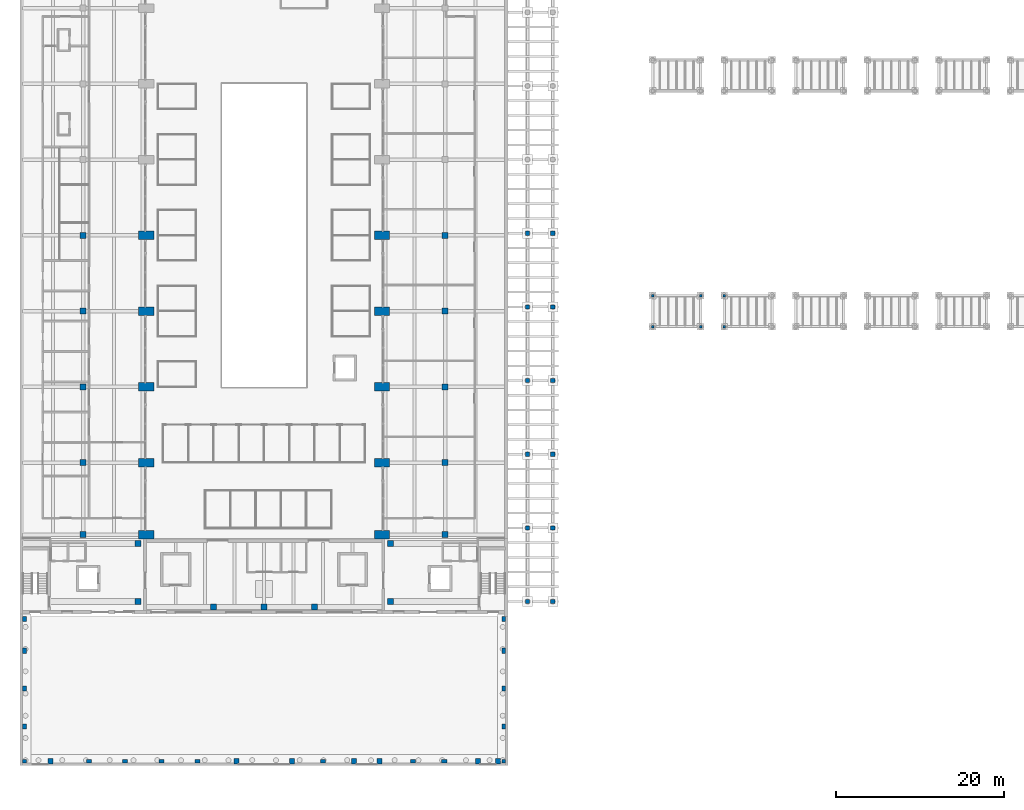
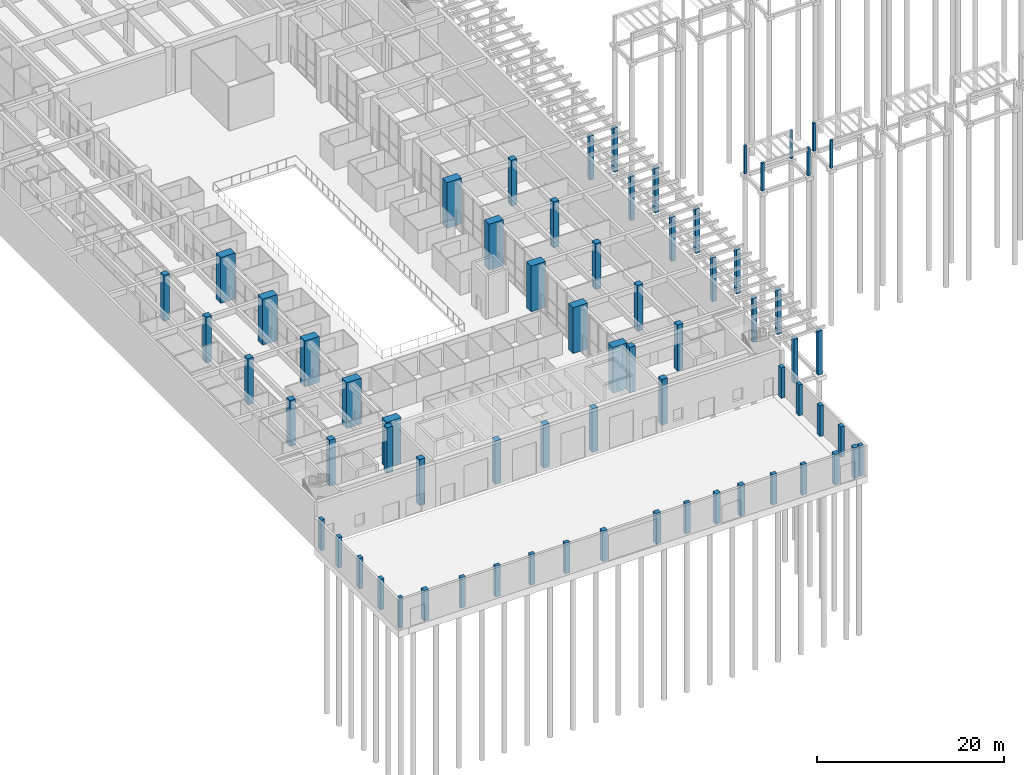
# One storey, part 5 of 51: 69 columns.
"""IFC4 building model written with IfcOpenShell, lengths in metres."""

from ifc_helpers import new_model, si_unit, direction, frame, origin, origin_2d, place, context, subcontext, project, spatial, rectangle, extrude, material, material_profile, profile_set, type_object, element, save


model = new_model("IFC4")

# Units and contexts
model_context = context("Model", 3, precision=1e-05, world=origin(), true_north=direction((0.0, 1.0)))
body_context = subcontext(model_context, "Body", "Model", "MODEL_VIEW")
ifc_project = project(units=[si_unit("LENGTHUNIT", "METRE"), si_unit("AREAUNIT", "SQUARE_METRE"), si_unit("VOLUMEUNIT", "CUBIC_METRE"), si_unit("PLANEANGLEUNIT", "RADIAN"), si_unit("MASSUNIT", "GRAM", prefix="KILO")], contexts=[model_context])

# Site, building, storey
site_placement = place(None, origin())
site = spatial("IfcSite", under=ifc_project, at=site_placement, CompositionType="ELEMENT")
building_placement = place(site_placement, origin())
building = spatial("IfcBuilding", under=site, at=building_placement, Name="Elmora Arch Market Hall", CompositionType="ELEMENT")
storey_placement = place(building_placement, origin())
storey = spatial("IfcBuildingStorey", under=building, at=storey_placement, Name="L00", CompositionType="ELEMENT", Elevation=0.0)

# Columns
ifc_material_1 = material(Name="Concrete C40/50", Category="concrete")
ifc_material_profile_1 = material_profile(ifc_material_1, rectangle(XDim=0.699951171875, YDim=0.699951171875, at=origin_2d()), Name="Corner block column 700x700")
ifc_profile_set_1 = profile_set([ifc_material_profile_1], Name="Concrete C40/50")
column_type_1 = type_object("IfcColumnType", Name="Corner block column 700x700", PredefinedType="COLUMN", material=ifc_profile_set_1)
for number, where, z_axis, x_axis, name in (
    (1, (14.0, 19.5, 0.0), (0.0, 0.0, 1.0), (1.0, 0.0, 0.0), "Corner block column SW2 L00"),
    (2, (14.0, 26.39990234375, 0.0), (0.0, 0.0, 1.0), (1.0, 0.0, 0.0), "Corner block column SW4 L00"),
    (3, (44.0, 19.5, 0.0), (0.0, 0.0, 1.0), (1.0, 0.0, 0.0), "Corner block column SE2 L00"),
    (4, (44.0, 26.39990234375, 0.0), (0.0, 0.0, 1.0), (1.0, 0.0, 0.0), "Corner block column SE4 L00"),
):
    element("IfcColumn", number, at=place(storey_placement, frame(where, z_axis=z_axis, x_axis=x_axis)), inside=storey, type_object=column_type_1, Name=name, PredefinedType="COLUMN", context=body_context, shape_type="SweptSolid", body=[
        extrude(rectangle(XDim=0.699951171875, YDim=0.699951171875, at=origin_2d()), origin(), (0.0, 0.0, 1.0), 6.0),
    ])
ifc_material_2 = material(Name="Concrete C40/50", Category="concrete")
ifc_material_profile_2 = material_profile(ifc_material_2, rectangle(XDim=0.699951171875, YDim=0.699951171875, at=origin_2d()), Name="Dock column 700x700")
ifc_profile_set_2 = profile_set([ifc_material_profile_2], Name="Concrete C40/50")
column_type_2 = type_object("IfcColumnType", Name="Dock column 700x700", PredefinedType="COLUMN", material=ifc_profile_set_2)
for number, where, z_axis, x_axis, name in (
    (5, (23.0, 18.85009765625, 0.0), (0.0, 0.0, 1.0), (1.0, 0.0, 0.0), "Dock column DK7 L00"),
    (6, (29.0, 18.85009765625, 0.0), (0.0, 0.0, 1.0), (1.0, 0.0, 0.0), "Dock column DK8 L00"),
    (7, (35.0, 18.85009765625, 0.0), (0.0, 0.0, 1.0), (1.0, 0.0, 0.0), "Dock column DK9 L00"),
):
    element("IfcColumn", number, at=place(storey_placement, frame(where, z_axis=z_axis, x_axis=x_axis)), inside=storey, type_object=column_type_2, Name=name, PredefinedType="COLUMN", context=body_context, shape_type="SweptSolid", body=[
        extrude(rectangle(XDim=0.699951171875, YDim=0.699951171875, at=origin_2d()), origin(), (0.0, 0.0, 1.0), 5.699951171875),
    ])
ifc_material_3 = material(Name="Concrete C40/50", Category="concrete")
ifc_material_profile_3 = material_profile(ifc_material_3, rectangle(XDim=1.800048828125, YDim=1.0, at=origin_2d()), Name="Hall pier")
ifc_profile_set_3 = profile_set([ifc_material_profile_3], Name="Concrete C40/50")
column_type_3 = type_object("IfcColumnType", Name="Hall pier", PredefinedType="COLUMN", material=ifc_profile_set_3)
for number, where, z_axis, x_axis, name in (
    (8, (15.0, 27.449951171875, 0.0), (0.0, 0.0, 1.0), (1.0, 0.0, 0.0), "Hall pier 01W L00"),
    (9, (43.0, 27.449951171875, 0.0), (0.0, 0.0, 1.0), (1.0, 0.0, 0.0), "Hall pier 01E L00"),
    (10, (15.0, 36.0, 0.0), (0.0, 0.0, 1.0), (1.0, 0.0, 0.0), "Hall pier 02W L00"),
    (11, (43.0, 36.0, 0.0), (0.0, 0.0, 1.0), (1.0, 0.0, 0.0), "Hall pier 02E L00"),
    (12, (15.0, 45.0, 0.0), (0.0, 0.0, 1.0), (1.0, 0.0, 0.0), "Hall pier 03W L00"),
    (13, (43.0, 45.0, 0.0), (0.0, 0.0, 1.0), (1.0, 0.0, 0.0), "Hall pier 03E L00"),
    (14, (15.0, 54.0, 0.0), (0.0, 0.0, 1.0), (1.0, 0.0, 0.0), "Hall pier 04W L00"),
    (15, (43.0, 54.0, 0.0), (0.0, 0.0, 1.0), (1.0, 0.0, 0.0), "Hall pier 04E L00"),
    (16, (15.0, 63.0, 0.0), (0.0, 0.0, 1.0), (1.0, 0.0, 0.0), "Hall pier 05W L00"),
    (17, (43.0, 63.0, 0.0), (0.0, 0.0, 1.0), (1.0, 0.0, 0.0), "Hall pier 05E L00"),
):
    element("IfcColumn", number, at=place(storey_placement, frame(where, z_axis=z_axis, x_axis=x_axis)), inside=storey, type_object=column_type_3, Name=name, PredefinedType="COLUMN", context=body_context, shape_type="SweptSolid", body=[
        extrude(rectangle(XDim=1.800048828125, YDim=1.0, at=origin_2d()), origin(), (0.0, 0.0, 1.0), 6.0),
    ])
ifc_material_4 = material(Name="Concrete C40/50", Category="concrete")
ifc_material_profile_4 = material_profile(ifc_material_4, rectangle(XDim=0.5, YDim=0.5, at=origin_2d()), Name="Passage column 500x500")
ifc_profile_set_4 = profile_set([ifc_material_profile_4], Name="Concrete C40/50")
column_type_4 = type_object("IfcColumnType", Name="Passage column 500x500", PredefinedType="COLUMN", material=ifc_profile_set_4)
for number, where, z_axis, x_axis, name in (
    (18, (60.300048828125, 19.5, -0.300048828125), (0.0, 0.0, 1.0), (1.0, 0.0, 0.0), "Passage column PASS-E-01 L00"),
    (19, (60.300048828125, 28.25, -0.300048828125), (0.0, 0.0, 1.0), (1.0, 0.0, 0.0), "Passage column PASS-E-02 L00"),
    (20, (60.300048828125, 37.0, -0.300048828125), (0.0, 0.0, 1.0), (1.0, 0.0, 0.0), "Passage column PASS-E-03 L00"),
    (21, (60.300048828125, 45.75, -0.300048828125), (0.0, 0.0, 1.0), (1.0, 0.0, 0.0), "Passage column PASS-E-04 L00"),
    (22, (60.300048828125, 54.5, -0.300048828125), (0.0, 0.0, 1.0), (1.0, 0.0, 0.0), "Passage column PASS-E-05 L00"),
    (23, (60.300048828125, 63.25, -0.300048828125), (0.0, 0.0, 1.0), (1.0, 0.0, 0.0), "Passage column PASS-E-06 L00"),
    (24, (63.300048828125, 19.5, -0.300048828125), (0.0, 0.0, 1.0), (1.0, 0.0, 0.0), "Passage column PASS-E-14 L00"),
    (25, (63.300048828125, 28.25, -0.300048828125), (0.0, 0.0, 1.0), (1.0, 0.0, 0.0), "Passage column PASS-E-15 L00"),
    (26, (63.300048828125, 37.0, -0.300048828125), (0.0, 0.0, 1.0), (1.0, 0.0, 0.0), "Passage column PASS-E-16 L00"),
    (27, (63.300048828125, 45.75, -0.300048828125), (0.0, 0.0, 1.0), (1.0, 0.0, 0.0), "Passage column PASS-E-17 L00"),
    (28, (63.300048828125, 54.5, -0.300048828125), (0.0, 0.0, 1.0), (1.0, 0.0, 0.0), "Passage column PASS-E-18 L00"),
    (29, (63.300048828125, 63.25, -0.300048828125), (0.0, 0.0, 1.0), (1.0, 0.0, 0.0), "Passage column PASS-E-19 L00"),
):
    element("IfcColumn", number, at=place(storey_placement, frame(where, z_axis=z_axis, x_axis=x_axis)), inside=storey, type_object=column_type_4, Name=name, PredefinedType="COLUMN", context=body_context, shape_type="SweptSolid", body=[
        extrude(rectangle(XDim=0.5, YDim=0.5, at=origin_2d()), origin(), (0.0, 0.0, 1.0), 5.75),
    ])
ifc_material_5 = material(Name="Concrete C40/50", Category="concrete")
ifc_material_profile_5 = material_profile(ifc_material_5, rectangle(XDim=0.300048828125, YDim=0.300048828125, at=origin_2d()), Name="Stall column 300x300")
ifc_profile_set_5 = profile_set([ifc_material_profile_5], Name="Concrete C40/50")
column_type_5 = type_object("IfcColumnType", Name="Stall column 300x300", PredefinedType="COLUMN", material=ifc_profile_set_5)
for number, where, z_axis, x_axis, name in (
    (30, (75.14990234375, 52.14990234375, -0.300048828125), (0.0, 0.0, 1.0), (1.0, 0.0, 0.0), "Stall column STALL-11-1 L00"),
    (31, (80.85009765625, 52.14990234375, -0.300048828125), (0.0, 0.0, 1.0), (1.0, 0.0, 0.0), "Stall column STALL-11-2 L00"),
    (32, (75.14990234375, 55.85009765625, -0.300048828125), (0.0, 0.0, 1.0), (1.0, 0.0, 0.0), "Stall column STALL-11-3 L00"),
    (33, (80.85009765625, 55.85009765625, -0.300048828125), (0.0, 0.0, 1.0), (1.0, 0.0, 0.0), "Stall column STALL-11-4 L00"),
    (34, (83.64990234375, 52.14990234375, -0.300048828125), (0.0, 0.0, 1.0), (1.0, 0.0, 0.0), "Stall column STALL-12-1 L00"),
    (35, (83.64990234375, 55.85009765625, -0.300048828125), (0.0, 0.0, 1.0), (1.0, 0.0, 0.0), "Stall column STALL-12-3 L00"),
):
    element("IfcColumn", number, at=place(storey_placement, frame(where, z_axis=z_axis, x_axis=x_axis)), inside=storey, type_object=column_type_5, Name=name, PredefinedType="COLUMN", context=body_context, shape_type="SweptSolid", body=[
        extrude(rectangle(XDim=0.300048828125, YDim=0.300048828125, at=origin_2d()), origin(), (0.0, 0.0, 1.0), 3.650146484375),
    ])
ifc_material_6 = material(Name="Concrete C40/50", Category="concrete")
ifc_material_profile_6 = material_profile(ifc_material_6, rectangle(XDim=0.699951171875, YDim=0.699951171875, at=origin_2d()), Name="Wing column 700x700")
ifc_profile_set_6 = profile_set([ifc_material_profile_6], Name="Concrete C40/50")
column_type_6 = type_object("IfcColumnType", Name="Wing column 700x700", PredefinedType="COLUMN", material=ifc_profile_set_6)
for number, where, z_axis, x_axis, name in (
    (36, (7.5, 27.449951171875, 0.0), (0.0, 0.0, 1.0), (1.0, 0.0, 0.0), "Wing column W1 L00"),
    (37, (7.5, 36.0, 0.0), (0.0, 0.0, 1.0), (1.0, 0.0, 0.0), "Wing column W2 L00"),
    (38, (7.5, 45.0, 0.0), (0.0, 0.0, 1.0), (1.0, 0.0, 0.0), "Wing column W3 L00"),
    (39, (7.5, 54.0, 0.0), (0.0, 0.0, 1.0), (1.0, 0.0, 0.0), "Wing column W4 L00"),
    (40, (7.5, 63.0, 0.0), (0.0, 0.0, 1.0), (1.0, 0.0, 0.0), "Wing column W5 L00"),
    (41, (50.5, 27.449951171875, 0.0), (0.0, 0.0, 1.0), (1.0, 0.0, 0.0), "Wing column E1 L00"),
    (42, (50.5, 36.0, 0.0), (0.0, 0.0, 1.0), (1.0, 0.0, 0.0), "Wing column E2 L00"),
    (43, (50.5, 45.0, 0.0), (0.0, 0.0, 1.0), (1.0, 0.0, 0.0), "Wing column E3 L00"),
    (44, (50.5, 54.0, 0.0), (0.0, 0.0, 1.0), (1.0, 0.0, 0.0), "Wing column E4 L00"),
    (45, (50.5, 63.0, 0.0), (0.0, 0.0, 1.0), (1.0, 0.0, 0.0), "Wing column E5 L00"),
):
    element("IfcColumn", number, at=place(storey_placement, frame(where, z_axis=z_axis, x_axis=x_axis)), inside=storey, type_object=column_type_6, Name=name, PredefinedType="COLUMN", context=body_context, shape_type="SweptSolid", body=[
        extrude(rectangle(XDim=0.699951171875, YDim=0.699951171875, at=origin_2d()), origin(), (0.0, 0.0, 1.0), 6.0),
    ])
ifc_material_7 = material(Name="Concrete C40/50", Category="concrete")
ifc_material_profile_7 = material_profile(ifc_material_7, rectangle(XDim=0.449951171875, YDim=0.449951171875, at=origin_2d()), Name="Yard corner pilaster 450x450")
ifc_profile_set_7 = profile_set([ifc_material_profile_7], Name="Concrete C40/50")
column_type_7 = type_object("IfcColumnType", Name="Yard corner pilaster 450x450", PredefinedType="COLUMN", material=ifc_profile_set_7)
for number, where, z_axis, x_axis, name in (
    (46, (0.52490234375, 0.52490234375, 0.0), (0.0, 0.0, 1.0), (1.0, 0.0, 0.0), "Yard corner pilaster CW L00"),
    (47, (57.47509765625, 0.52490234375, 0.0), (0.0, 0.0, 1.0), (1.0, 0.0, 0.0), "Yard corner pilaster CE L00"),
):
    element("IfcColumn", number, at=place(storey_placement, frame(where, z_axis=z_axis, x_axis=x_axis)), inside=storey, type_object=column_type_7, Name=name, PredefinedType="COLUMN", context=body_context, shape_type="SweptSolid", body=[
        extrude(rectangle(XDim=0.449951171875, YDim=0.449951171875, at=origin_2d()), origin(), (0.0, 0.0, 1.0), 4.0),
    ])
ifc_material_8 = material(Name="Concrete C40/50", Category="concrete")
ifc_material_profile_8 = material_profile(ifc_material_8, rectangle(XDim=0.60009765625, YDim=0.60009765625, at=origin_2d()), Name="Yard gate post 600x600")
ifc_profile_set_8 = profile_set([ifc_material_profile_8], Name="Concrete C40/50")
column_type_8 = type_object("IfcColumnType", Name="Yard gate post 600x600", PredefinedType="COLUMN", material=ifc_profile_set_8)
for number, where, z_axis, x_axis, name in (
    (48, (3.60009765625, 0.52490234375, 0.0), (0.0, 0.0, 1.0), (1.0, 0.0, 0.0), "Yard gate post S01 L00"),
    (49, (25.699951171875, 0.52490234375, 0.0), (0.0, 0.0, 1.0), (1.0, 0.0, 0.0), "Yard gate post S02 L00"),
    (50, (32.300048828125, 0.52490234375, 0.0), (0.0, 0.0, 1.0), (1.0, 0.0, 0.0), "Yard gate post S03 L00"),
    (51, (39.699951171875, 0.52490234375, 0.0), (0.0, 0.0, 1.0), (1.0, 0.0, 0.0), "Yard gate post S04 L00"),
    (52, (42.699951171875, 0.52490234375, 0.0), (0.0, 0.0, 1.0), (1.0, 0.0, 0.0), "Yard gate post S05 L00"),
    (53, (54.39990234375, 0.52490234375, 0.0), (0.0, 0.0, 1.0), (1.0, 0.0, 0.0), "Yard gate post S06 L00"),
    (54, (56.800048828125, 0.52490234375, 0.0), (0.0, 0.0, 1.0), (1.0, 0.0, 0.0), "Yard gate post S07 L00"),
):
    element("IfcColumn", number, at=place(storey_placement, frame(where, z_axis=z_axis, x_axis=x_axis)), inside=storey, type_object=column_type_8, Name=name, PredefinedType="COLUMN", context=body_context, shape_type="SweptSolid", body=[
        extrude(rectangle(XDim=0.60009765625, YDim=0.60009765625, at=origin_2d()), origin(), (0.0, 0.0, 1.0), 4.0),
    ])
ifc_material_9 = material(Name="Concrete C40/50", Category="concrete")
ifc_material_profile_9 = material_profile(ifc_material_9, rectangle(XDim=0.449951171875, YDim=0.60009765625, at=origin_2d()), Name="Yard pilaster 450x600")
ifc_profile_set_9 = profile_set([ifc_material_profile_9], Name="Concrete C40/50")
column_type_9 = type_object("IfcColumnType", Name="Yard pilaster 450x600", PredefinedType="COLUMN", material=ifc_profile_set_9)
for number, where, z_axis, x_axis, name in (
    (55, (0.52490234375, 4.64990234375, 0.0), (0.0, 0.0, 1.0), (1.0, 0.0, 0.0), "Yard pilaster W01 L00"),
    (56, (0.52490234375, 9.14990234375, 0.0), (0.0, 0.0, 1.0), (1.0, 0.0, 0.0), "Yard pilaster W02 L00"),
    (57, (0.52490234375, 13.64990234375, 0.0), (0.0, 0.0, 1.0), (1.0, 0.0, 0.0), "Yard pilaster W03 L00"),
    (58, (0.52490234375, 17.39990234375, 0.0), (0.0, 0.0, 1.0), (1.0, 0.0, 0.0), "Yard pilaster W04 L00"),
    (59, (57.47509765625, 4.64990234375, 0.0), (0.0, 0.0, 1.0), (1.0, 0.0, 0.0), "Yard pilaster E01 L00"),
    (60, (57.47509765625, 9.14990234375, 0.0), (0.0, 0.0, 1.0), (1.0, 0.0, 0.0), "Yard pilaster E02 L00"),
    (61, (57.47509765625, 13.64990234375, 0.0), (0.0, 0.0, 1.0), (1.0, 0.0, 0.0), "Yard pilaster E03 L00"),
    (62, (57.47509765625, 17.39990234375, 0.0), (0.0, 0.0, 1.0), (1.0, 0.0, 0.0), "Yard pilaster E04 L00"),
):
    element("IfcColumn", number, at=place(storey_placement, frame(where, z_axis=z_axis, x_axis=x_axis)), inside=storey, type_object=column_type_9, Name=name, PredefinedType="COLUMN", context=body_context, shape_type="SweptSolid", body=[
        extrude(rectangle(XDim=0.449951171875, YDim=0.60009765625, at=origin_2d()), origin(), (0.0, 0.0, 1.0), 4.0),
    ])
ifc_material_10 = material(Name="Concrete C40/50", Category="concrete")
ifc_material_profile_10 = material_profile(ifc_material_10, rectangle(XDim=0.60009765625, YDim=0.449951171875, at=origin_2d()), Name="Yard pilaster 600x450")
ifc_profile_set_10 = profile_set([ifc_material_profile_10], Name="Concrete C40/50")
column_type_10 = type_object("IfcColumnType", Name="Yard pilaster 600x450", PredefinedType="COLUMN", material=ifc_profile_set_10)
for number, where, z_axis, x_axis, name in (
    (63, (8.199951171875, 0.52490234375, 0.0), (0.0, 0.0, 1.0), (1.0, 0.0, 0.0), "Yard pilaster S08 L00"),
    (64, (12.5, 0.52490234375, 0.0), (0.0, 0.0, 1.0), (1.0, 0.0, 0.0), "Yard pilaster S09 L00"),
    (65, (16.800048828125, 0.52490234375, 0.0), (0.0, 0.0, 1.0), (1.0, 0.0, 0.0), "Yard pilaster S10 L00"),
    (66, (21.10009765625, 0.52490234375, 0.0), (0.0, 0.0, 1.0), (1.0, 0.0, 0.0), "Yard pilaster S11 L00"),
    (67, (36.0, 0.52490234375, 0.0), (0.0, 0.0, 1.0), (1.0, 0.0, 0.0), "Yard pilaster S12 L00"),
    (68, (46.699951171875, 0.52490234375, 0.0), (0.0, 0.0, 1.0), (1.0, 0.0, 0.0), "Yard pilaster S13 L00"),
    (69, (50.39990234375, 0.52490234375, 0.0), (0.0, 0.0, 1.0), (1.0, 0.0, 0.0), "Yard pilaster S14 L00"),
):
    element("IfcColumn", number, at=place(storey_placement, frame(where, z_axis=z_axis, x_axis=x_axis)), inside=storey, type_object=column_type_10, Name=name, PredefinedType="COLUMN", context=body_context, shape_type="SweptSolid", body=[
        extrude(rectangle(XDim=0.60009765625, YDim=0.449951171875, at=origin_2d()), origin(), (0.0, 0.0, 1.0), 4.0),
    ])

save(model, "model.ifc")
